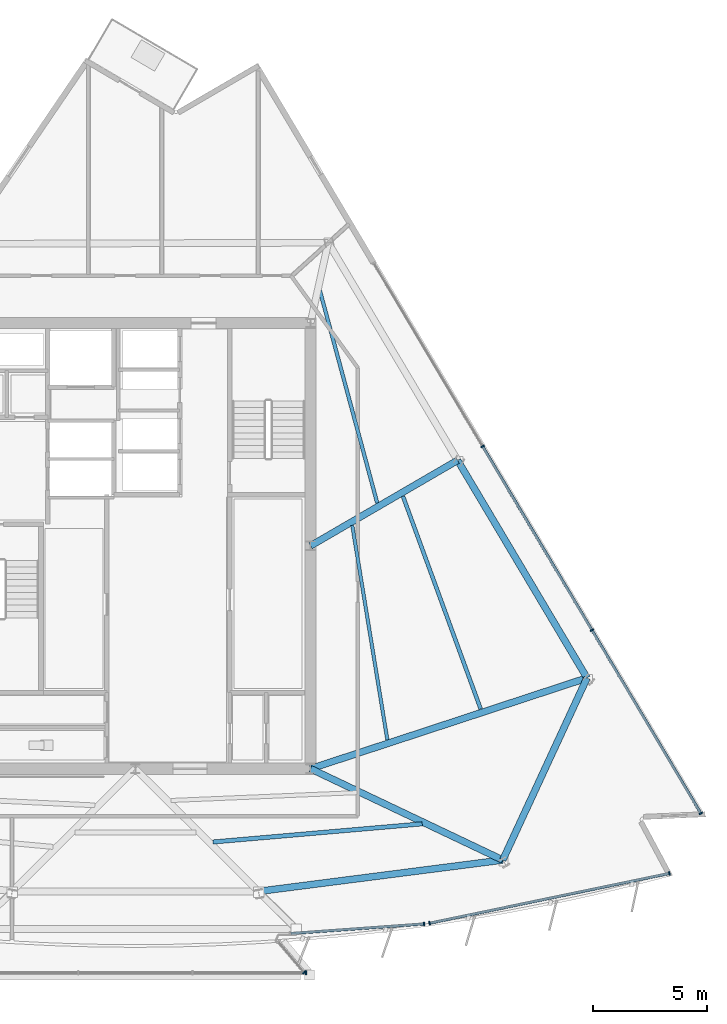
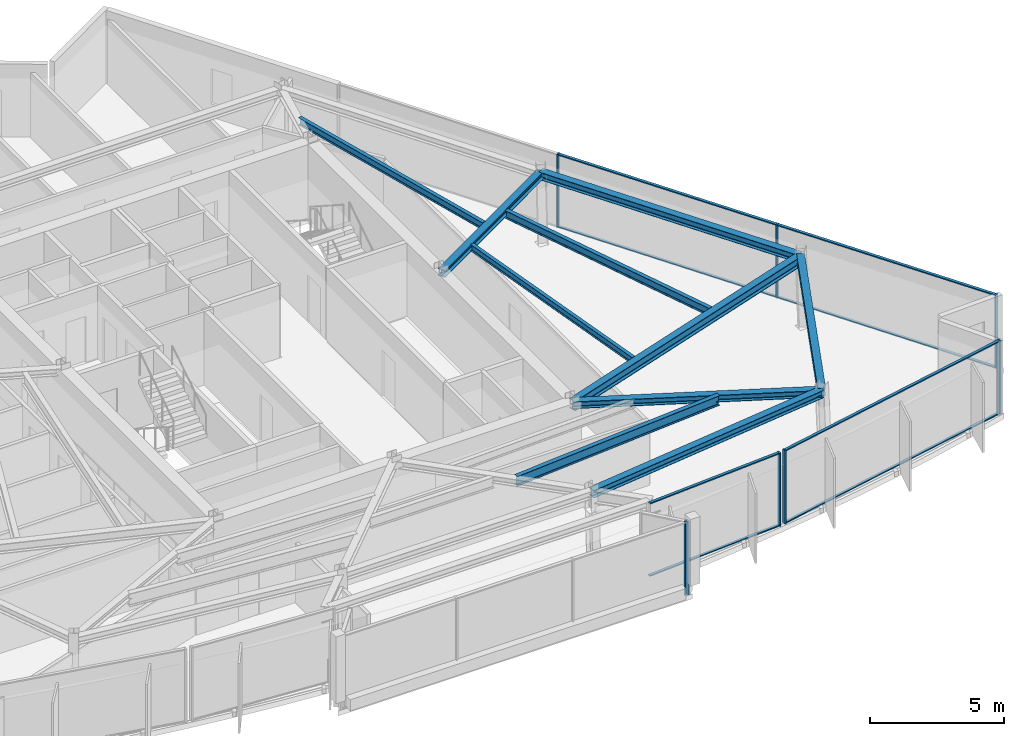
# One storey, part 5 of 14: 16 members, 10 beams, 5 elements without a shape of their own.
"""IFC4 building model written with IfcOpenShell, lengths in metres."""

from ifc_helpers import new_model, si_unit, direction, frame, origin, origin_2d, place, context, subcontext, project, spatial, rectangle, i_section, extrude, material, material_profile, profile_set, type_object, element, aggregate, save


model = new_model("IFC4")

# Units and contexts
model_context = context("Model", 3, precision=1e-05, world=origin(), true_north=direction((0.0, 1.0)))
body_context = subcontext(model_context, "Body", "Model", "MODEL_VIEW")
ifc_project = project(units=[si_unit("LENGTHUNIT", "METRE"), si_unit("AREAUNIT", "SQUARE_METRE"), si_unit("VOLUMEUNIT", "CUBIC_METRE"), si_unit("PLANEANGLEUNIT", "RADIAN"), si_unit("MASSUNIT", "GRAM", prefix="KILO")], contexts=[model_context])

# Site, building, storey
site_placement = place(None, origin())
site = spatial("IfcSite", under=ifc_project, at=site_placement, CompositionType="ELEMENT")
building_placement = place(site_placement, origin())
building = spatial("IfcBuilding", under=site, at=building_placement, Name="Savorim Split Tower", CompositionType="ELEMENT")
storey_placement = place(building_placement, frame((0.0, 0.0, 234.300048828125)))
storey = spatial("IfcBuildingStorey", under=building, at=storey_placement, Name="L62", CompositionType="ELEMENT", Elevation=234.300048828125)

# Beams
ifc_material_1 = material(Name="Steel S355", Category="steel")
ifc_material_profile_1 = material_profile(ifc_material_1, i_section(OverallWidth=0.14990234375, OverallDepth=0.300048828125, WebThickness=0.007080078125, FlangeThickness=0.0107421875, FilletRadius=0.014892578125, at=origin_2d()), Name="IPE 300")
ifc_profile_set_1 = profile_set([ifc_material_profile_1], Name="Steel S355")
beam_type_1 = type_object("IfcBeamType", Name="BM-JST-IPE300", PredefinedType="JOIST", material=ifc_profile_set_1)
beam_1_placement = place(storey_placement, frame((11.077880859375, -8.12451171875, 3.199951171875), z_axis=(-0.161478150517, 0.986876287538, 0.0), x_axis=(-0.986876287538, -0.161478150517, 0.0)))
element("IfcBeam", 1, at=beam_1_placement, inside=storey, type_object=beam_type_1, Name="L62 Secondary Floor Joist JS-08", PredefinedType="JOIST", context=body_context, shape_type="SweptSolid", body=[
    extrude(i_section(OverallWidth=0.14990234375, OverallDepth=0.300048828125, WebThickness=0.007080078125, FlangeThickness=0.0107421875, FilletRadius=0.014892578125, at=origin_2d()), origin(), (0.0, 0.0, 1.0), 9.544677734375),
])
ifc_material_profile_2 = material_profile(ifc_material_1, i_section(OverallWidth=0.159912109375, OverallDepth=0.330078125, WebThickness=0.007568359375, FlangeThickness=0.011474609375, FilletRadius=0.01806640625, at=origin_2d()), Name="IPE 330")
ifc_profile_set_2 = profile_set([ifc_material_profile_2], Name="Steel S355")
beam_type_2 = type_object("IfcBeamType", Name="BM-JST-IPE330", PredefinedType="JOIST", material=ifc_profile_set_2)
beam_2_placement = place(storey_placement, frame((10.633056640625, 2.2841796875, 3.18505859375), z_axis=(-0.260676854627, 0.96542611186, 0.0), x_axis=(-0.96542611186, -0.260676854627, 0.0)))
element("IfcBeam", 2, at=beam_2_placement, inside=storey, type_object=beam_type_2, Name="L62 Secondary Floor Joist JS-07", PredefinedType="JOIST", context=body_context, shape_type="SweptSolid", body=[
    extrude(i_section(OverallWidth=0.159912109375, OverallDepth=0.330078125, WebThickness=0.007568359375, FlangeThickness=0.011474609375, FilletRadius=0.01806640625, at=origin_2d()), origin(), (0.0, 0.0, 1.0), 9.720703125),
])
ifc_material_profile_3 = material_profile(ifc_material_1, i_section(OverallWidth=0.169921875, OverallDepth=0.360107421875, WebThickness=0.008056640625, FlangeThickness=0.0126953125, FilletRadius=0.01806640625, at=origin_2d()), Name="IPE 360")
ifc_profile_set_3 = profile_set([ifc_material_profile_3], Name="Steel S355")
beam_type_3 = type_object("IfcBeamType", Name="BM-JST-IPE360", PredefinedType="JOIST", material=ifc_profile_set_3)
beam_3_placement = place(storey_placement, frame((15.18212890625, -6.77490234375, 3.169921875), z_axis=(-0.34313015909, 0.939287865312, 0.0), x_axis=(-0.939287865312, -0.34313015909, 0.0)))
element("IfcBeam", 3, at=beam_3_placement, inside=storey, type_object=beam_type_3, Name="L62 Secondary Floor Joist JS-06", PredefinedType="JOIST", context=body_context, shape_type="SweptSolid", body=[
    extrude(i_section(OverallWidth=0.169921875, OverallDepth=0.360107421875, WebThickness=0.008056640625, FlangeThickness=0.0126953125, FilletRadius=0.01806640625, at=origin_2d()), origin(), (0.0, 0.0, 1.0), 9.96044921875),
])
ifc_material_profile_4 = material_profile(ifc_material_1, i_section(OverallWidth=0.18994140625, OverallDepth=0.449951171875, WebThickness=0.009521484375, FlangeThickness=0.0146484375, FilletRadius=0.02099609375, at=origin_2d()), Name="IPE 450")
ifc_profile_set_4 = profile_set([ifc_material_profile_4], Name="Steel S355")
beam_type_4 = type_object("IfcBeamType", Name="BM-JST-IPE450", PredefinedType="JOIST", material=ifc_profile_set_4)
beam_4_placement = place(storey_placement, frame((3.407470703125, -12.621337890625, 3.125), z_axis=(0.996248219312, 0.086541813698, 0.0), x_axis=(-0.086541813698, 0.996248219312, 0.0)))
element("IfcBeam", 4, at=beam_4_placement, inside=storey, type_object=beam_type_4, Name="L62 Secondary Floor Joist JS-04", PredefinedType="JOIST", context=body_context, shape_type="SweptSolid", body=[
    extrude(i_section(OverallWidth=0.18994140625, OverallDepth=0.449951171875, WebThickness=0.009521484375, FlangeThickness=0.0146484375, FilletRadius=0.02099609375, at=origin_2d()), origin(), (0.0, 0.0, 1.0), 9.239013671875),
])
ifc_material_profile_5 = material_profile(ifc_material_1, i_section(OverallWidth=0.300048828125, OverallDepth=0.320068359375, WebThickness=0.011474609375, FlangeThickness=0.0205078125, FilletRadius=0.027099609375, at=origin_2d()), Name="HEB 320")
ifc_profile_set_5 = profile_set([ifc_material_profile_5], Name="Steel S355")
beam_type_5 = type_object("IfcBeamType", Name="BM-PRI-HEB320", PredefinedType="BEAM", material=ifc_profile_set_5)
beam_5_placement = place(storey_placement, frame((16.15185546875, -13.4130859375, 3.18994140625), z_axis=(-0.903338424943, 0.428928537197, 0.0), x_axis=(-0.428928537197, -0.903338424943, 0.0)))
element("IfcBeam", 5, at=beam_5_placement, inside=storey, type_object=beam_type_5, Name="L62 Primary Floor Girder RG-04", PredefinedType="BEAM", context=body_context, shape_type="SweptSolid", body=[
    extrude(i_section(OverallWidth=0.300048828125, OverallDepth=0.320068359375, WebThickness=0.011474609375, FlangeThickness=0.0205078125, FilletRadius=0.027099609375, at=origin_2d()), origin(), (0.0, 0.0, 1.0), 9.356201171875),
])
beam_6_placement = place(storey_placement, frame((14.166748046875, 4.159912109375, 3.18994140625), z_axis=(-0.864493004875, -0.502644849294, 0.0), x_axis=(0.502644849294, -0.864493004875, 0.0)))
element("IfcBeam", 6, at=beam_6_placement, inside=storey, type_object=beam_type_5, Name="L62 Primary Floor Girder RG-06", PredefinedType="BEAM", context=body_context, shape_type="SweptSolid", body=[
    extrude(i_section(OverallWidth=0.300048828125, OverallDepth=0.320068359375, WebThickness=0.011474609375, FlangeThickness=0.0205078125, FilletRadius=0.027099609375, at=origin_2d()), origin(), (0.0, 0.0, 1.0), 7.48046875),
])
ifc_material_profile_6 = material_profile(ifc_material_1, i_section(OverallWidth=0.300048828125, OverallDepth=0.449951171875, WebThickness=0.013916015625, FlangeThickness=0.02587890625, FilletRadius=0.027099609375, at=origin_2d()), Name="HEB 450")
ifc_profile_set_6 = profile_set([ifc_material_profile_6], Name="Steel S355")
beam_type_6 = type_object("IfcBeamType", Name="BM-PRI-HEB450", PredefinedType="BEAM", material=ifc_profile_set_6)
beam_7_placement = place(storey_placement, frame((19.8564453125, -5.408447265625, 3.125), z_axis=(-0.950097124951, -0.311954248505, 0.0), x_axis=(0.311954248505, -0.950097124951, 0.0)))
element("IfcBeam", 7, at=beam_7_placement, inside=storey, type_object=beam_type_6, Name="L62 Primary Floor Girder RG-05", PredefinedType="BEAM", context=body_context, shape_type="SweptSolid", body=[
    extrude(i_section(OverallWidth=0.300048828125, OverallDepth=0.449951171875, WebThickness=0.013916015625, FlangeThickness=0.02587890625, FilletRadius=0.027099609375, at=origin_2d()), origin(), (0.0, 0.0, 1.0), 12.794921875),
])
ifc_material_profile_7 = material_profile(ifc_material_1, i_section(OverallWidth=0.300048828125, OverallDepth=0.35009765625, WebThickness=0.010009765625, FlangeThickness=0.017578125, FilletRadius=0.027099609375, at=origin_2d()), Name="HEA 360")
ifc_profile_set_7 = profile_set([ifc_material_profile_7], Name="Steel S355")
beam_type_7 = type_object("IfcBeamType", Name="BM-SPN-HEA360", PredefinedType="SPANDREL", material=ifc_profile_set_7)
beam_8_placement = place(storey_placement, frame((5.413330078125, -14.791748046875, 3.175048828125), z_axis=(0.991859186786, 0.127339520923, 0.0), x_axis=(-0.127339520923, 0.991859186786, 0.0)))
element("IfcBeam", 8, at=beam_8_placement, inside=storey, type_object=beam_type_7, Name="L62 Perimeter Spandrel Beam 3", PredefinedType="SPANDREL", context=body_context, shape_type="SweptSolid", body=[
    extrude(i_section(OverallWidth=0.300048828125, OverallDepth=0.35009765625, WebThickness=0.010009765625, FlangeThickness=0.017578125, FilletRadius=0.027099609375, at=origin_2d()), origin(), (0.0, 0.0, 1.0), 10.82666015625),
])
beam_9_placement = place(storey_placement, frame((16.15185546875, -13.4130859375, 3.175048828125), z_axis=(0.420005796589, 0.907521421693, 0.0), x_axis=(-0.907521421693, 0.420005796589, 0.0)))
element("IfcBeam", 9, at=beam_9_placement, inside=storey, type_object=beam_type_7, Name="L62 Perimeter Spandrel Beam 4", PredefinedType="SPANDREL", context=body_context, shape_type="SweptSolid", body=[
    extrude(i_section(OverallWidth=0.300048828125, OverallDepth=0.35009765625, WebThickness=0.010009765625, FlangeThickness=0.017578125, FilletRadius=0.027099609375, at=origin_2d()), origin(), (0.0, 0.0, 1.0), 8.8203125),
])
beam_10_placement = place(storey_placement, frame((19.8564453125, -5.408447265625, 3.175048828125), z_axis=(-0.511102105141, 0.859520004491, 0.0), x_axis=(-0.859520004491, -0.511102105141, 0.0)))
element("IfcBeam", 10, at=beam_10_placement, inside=storey, type_object=beam_type_7, Name="L62 Perimeter Spandrel Beam 5", PredefinedType="SPANDREL", context=body_context, shape_type="SweptSolid", body=[
    extrude(i_section(OverallWidth=0.300048828125, OverallDepth=0.35009765625, WebThickness=0.010009765625, FlangeThickness=0.017578125, FilletRadius=0.027099609375, at=origin_2d()), origin(), (0.0, 0.0, 1.0), 11.13232421875),
])

# Curtain wall, member
ifc_material_2 = material(Name="Dark Ceramic-Fritted Insulated Glass", Category="glass")
curtain_wall_type_1 = type_object("IfcCurtainWallType", Name="CW-TWR-FRIT-B", PredefinedType="NOTDEFINED", material=ifc_material_2)
curtain_wall_1_placement = place(storey_placement, origin())
curtain_wall_1 = element("IfcCurtainWall", 11, at=curtain_wall_1_placement, inside=storey, type_object=curtain_wall_type_1, Name="L62 Curtain Wall CW-L62-SF3A", PredefinedType="NOTDEFINED")
ifc_material_3 = material(Name="Charcoal Anodised Aluminium", Category="aluminium")
ifc_material_profile_8 = material_profile(ifc_material_3, rectangle(XDim=0.159912109375, YDim=0.06005859375, at=origin_2d()), Name="ALU-M 160x60")
ifc_profile_set_8 = profile_set([ifc_material_profile_8], Name="Charcoal Anodised Aluminium")
member_type_1 = type_object("IfcMemberType", Name="CWM-160x60", PredefinedType="MULLION", material=ifc_profile_set_8)
member_1_placement = place(storey_placement, frame((12.6923828125, -16.221923828125, 0.0), z_axis=(0.0, 0.0, 1.0), x_axis=(-0.071557956097, 0.997436443549, 0.0)))
member_1 = element("IfcMember", 12, at=member_1_placement, type_object=member_type_1, Name="CW-03 mullion 2", PredefinedType="MULLION", context=body_context, shape_type="SweptSolid", body=[
    extrude(rectangle(XDim=0.159912109375, YDim=0.06005859375, at=origin_2d()), origin(), (0.0, 0.0, 1.0), 3.349853515625),
])

# Curtain wall, members
curtain_wall_2_placement = place(storey_placement, origin())
curtain_wall_2 = element("IfcCurtainWall", 13, at=curtain_wall_2_placement, inside=storey, type_object=curtain_wall_type_1, Name="L62 Curtain Wall CW-L62-SF4A", PredefinedType="NOTDEFINED")
member_2_placement = place(storey_placement, frame((12.933349609375, -16.1884765625, 0.0), z_axis=(0.0, 0.0, 1.0), x_axis=(-0.203214786352, 0.979134184169, 0.0)))
member_2 = element("IfcMember", 14, at=member_2_placement, type_object=member_type_1, Name="CW-03 mullion 1", PredefinedType="MULLION", context=body_context, shape_type="SweptSolid", body=[
    extrude(rectangle(XDim=0.159912109375, YDim=0.06005859375, at=origin_2d()), origin(), (0.0, 0.0, 1.0), 3.349853515625),
])
member_3_placement = place(storey_placement, frame((23.47705078125, -14.0, 0.0), z_axis=(0.0, 0.0, 1.0), x_axis=(-0.203214786352, 0.979134184169, 0.0)))
member_3 = element("IfcMember", 15, at=member_3_placement, type_object=member_type_1, Name="CW-03 mullion 2", PredefinedType="MULLION", context=body_context, shape_type="SweptSolid", body=[
    extrude(rectangle(XDim=0.159912109375, YDim=0.06005859375, at=origin_2d()), origin(), (0.0, 0.0, 1.0), 3.349853515625),
])

curtain_wall_3_placement = place(storey_placement, origin())
curtain_wall_3 = element("IfcCurtainWall", 16, at=curtain_wall_3_placement, inside=storey, type_object=curtain_wall_type_1, Name="L62 Curtain Wall CW-L62-EAST", PredefinedType="NOTDEFINED")
member_4_placement = place(storey_placement, frame((24.8623046875, -11.363037109375, 0.0), z_axis=(0.0, 0.0, 1.0), x_axis=(-0.859523513249, -0.51109620442, 0.0)))
member_4 = element("IfcMember", 17, at=member_4_placement, type_object=member_type_1, Name="CW-03 mullion 1", PredefinedType="MULLION", context=body_context, shape_type="SweptSolid", body=[
    extrude(rectangle(XDim=0.159912109375, YDim=0.06005859375, at=origin_2d()), origin(), (0.0, 0.0, 1.0), 3.349853515625),
])
member_5_placement = place(storey_placement, frame((20.072021484375, -3.30712890625, 0.0), z_axis=(0.0, 0.0, 1.0), x_axis=(-0.859523513249, -0.51109620442, 0.0)))
member_5 = element("IfcMember", 18, at=member_5_placement, type_object=member_type_1, Name="CW-03 mullion 2", PredefinedType="MULLION", context=body_context, shape_type="SweptSolid", body=[
    extrude(rectangle(XDim=0.159912109375, YDim=0.06005859375, at=origin_2d()), origin(), (0.0, 0.0, 1.0), 3.349853515625),
])
member_6_placement = place(storey_placement, frame((15.266357421875, 4.7744140625, 0.0), z_axis=(0.0, 0.0, 1.0), x_axis=(-0.859523513249, -0.51109620442, 0.0)))
member_6 = element("IfcMember", 19, at=member_6_placement, type_object=member_type_1, Name="CW-03 mullion 3", PredefinedType="MULLION", context=body_context, shape_type="SweptSolid", body=[
    extrude(rectangle(XDim=0.159912109375, YDim=0.06005859375, at=origin_2d()), origin(), (0.0, 0.0, 1.0), 3.349853515625),
])

# Curtain wall, member
curtain_wall_type_2 = type_object("IfcCurtainWallType", Name="CW-BAY-LOUNGE", PredefinedType="NOTDEFINED", material=ifc_material_2)
curtain_wall_4_placement = place(storey_placement, origin())
curtain_wall_4 = element("IfcCurtainWall", 20, at=curtain_wall_4_placement, inside=storey, type_object=curtain_wall_type_2, Name="L62 Curtain Wall CW-L62-BAYF", PredefinedType="NOTDEFINED")
ifc_material_profile_9 = material_profile(ifc_material_3, rectangle(XDim=0.179931640625, YDim=0.06494140625, at=origin_2d()), Name="ALU-M 180x65")
ifc_profile_set_9 = profile_set([ifc_material_profile_9], Name="Charcoal Anodised Aluminium")
member_type_2 = type_object("IfcMemberType", Name="CWM-180x65", PredefinedType="MULLION", material=ifc_profile_set_9)
member_7_placement = place(storey_placement, frame((7.501708984375, -18.36767578125, 0.0), z_axis=(0.0, 0.0, 1.0), x_axis=(0.0, 1.0, 0.0)))
member_7 = element("IfcMember", 21, at=member_7_placement, type_object=member_type_2, Name="CW-04 mullion 4", PredefinedType="MULLION", context=body_context, shape_type="SweptSolid", body=[
    extrude(rectangle(XDim=0.179931640625, YDim=0.06494140625, at=origin_2d()), origin(), (0.0, 0.0, 1.0), 3.349853515625),
])
aggregate(curtain_wall_4, [member_7])

curtain_wall_5_placement = place(storey_placement, origin())
curtain_wall_5 = element("IfcCurtainWall", 22, at=curtain_wall_5_placement, inside=storey, type_object=curtain_wall_type_2, Name="L62 Curtain Wall CW-L62-BAYE", PredefinedType="NOTDEFINED")
member_8_placement = place(storey_placement, frame((7.424560546875, -18.3505859375, 0.0), z_axis=(0.0, 0.0, 1.0), x_axis=(-0.764177330189, -0.645006207741, 0.0)))
member_8 = element("IfcMember", 23, at=member_8_placement, type_object=member_type_2, Name="CW-04 mullion 1", PredefinedType="MULLION", context=body_context, shape_type="SweptSolid", body=[
    extrude(rectangle(XDim=0.179931640625, YDim=0.06494140625, at=origin_2d()), origin(), (0.0, 0.0, 1.0), 3.349853515625),
])
aggregate(curtain_wall_5, [member_8])

# Member
ifc_material_profile_10 = material_profile(ifc_material_3, rectangle(XDim=0.1201171875, YDim=0.050048828125, at=origin_2d()), Name="ALU-T 120x50")
ifc_profile_set_10 = profile_set([ifc_material_profile_10], Name="Charcoal Anodised Aluminium")
member_type_3 = type_object("IfcMemberType", Name="CWT-120x50", PredefinedType="USERDEFINED", material=ifc_profile_set_10)
member_9_placement = place(storey_placement, frame((6.83154296875, -16.642333984375, 0.02490234375), z_axis=(0.997437668804, 0.071540875378, 0.0), x_axis=(-0.071540875378, 0.997437668804, 0.0)))
member_9 = element("IfcMember", 24, at=member_9_placement, type_object=member_type_3, Name="CW-03 transom 1.1", ObjectType="TRANSOM", PredefinedType="USERDEFINED", context=body_context, shape_type="SweptSolid", body=[
    extrude(rectangle(XDim=0.1201171875, YDim=0.050048828125, at=origin_2d()), origin(), (0.0, 0.0, 1.0), 5.845703125),
])

member_10_placement = place(storey_placement, frame((6.83154296875, -16.642333984375, 3.324951171875), z_axis=(0.997437668804, 0.071540875378, 0.0), x_axis=(-0.071540875378, 0.997437668804, 0.0)))
member_10 = element("IfcMember", 25, at=member_10_placement, type_object=member_type_3, Name="CW-03 transom 1.2", ObjectType="TRANSOM", PredefinedType="USERDEFINED", context=body_context, shape_type="SweptSolid", body=[
    extrude(rectangle(XDim=0.1201171875, YDim=0.050048828125, at=origin_2d()), origin(), (0.0, 0.0, 1.0), 5.845703125),
])

aggregate(curtain_wall_1, [member_1, member_9, member_10])

member_11_placement = place(storey_placement, frame((12.962646484375, -16.182373046875, 0.02490234375), z_axis=(0.979131697612, 0.203226766771, 0.0), x_axis=(-0.203226766771, 0.979131697612, 0.0)))
member_11 = element("IfcMember", 26, at=member_11_placement, type_object=member_type_3, Name="CW-03 transom 1.1", ObjectType="TRANSOM", PredefinedType="USERDEFINED", context=body_context, shape_type="SweptSolid", body=[
    extrude(rectangle(XDim=0.1201171875, YDim=0.050048828125, at=origin_2d()), origin(), (0.0, 0.0, 1.0), 10.70849609375),
])

member_12_placement = place(storey_placement, frame((12.962646484375, -16.182373046875, 3.324951171875), z_axis=(0.979131697612, 0.203226766771, 0.0), x_axis=(-0.203226766771, 0.979131697612, 0.0)))
member_12 = element("IfcMember", 27, at=member_12_placement, type_object=member_type_3, Name="CW-03 transom 1.2", ObjectType="TRANSOM", PredefinedType="USERDEFINED", context=body_context, shape_type="SweptSolid", body=[
    extrude(rectangle(XDim=0.1201171875, YDim=0.050048828125, at=origin_2d()), origin(), (0.0, 0.0, 1.0), 10.70849609375),
])

aggregate(curtain_wall_2, [member_2, member_3, member_11, member_12])

member_13_placement = place(storey_placement, frame((24.846923828125, -11.33740234375, 0.02490234375), z_axis=(-0.511087432816, 0.859528729024, 0.0), x_axis=(-0.859528729024, -0.511087432816, 0.0)))
member_13 = element("IfcMember", 28, at=member_13_placement, type_object=member_type_3, Name="CW-03 transom 1.1", ObjectType="TRANSOM", PredefinedType="USERDEFINED", context=body_context, shape_type="SweptSolid", body=[
    extrude(rectangle(XDim=0.1201171875, YDim=0.050048828125, at=origin_2d()), origin(), (0.0, 0.0, 1.0), 9.3125),
])

member_14_placement = place(storey_placement, frame((24.846923828125, -11.33740234375, 3.324951171875), z_axis=(-0.511087432816, 0.859528729024, 0.0), x_axis=(-0.859528729024, -0.511087432816, 0.0)))
member_14 = element("IfcMember", 29, at=member_14_placement, type_object=member_type_3, Name="CW-03 transom 1.2", ObjectType="TRANSOM", PredefinedType="USERDEFINED", context=body_context, shape_type="SweptSolid", body=[
    extrude(rectangle(XDim=0.1201171875, YDim=0.050048828125, at=origin_2d()), origin(), (0.0, 0.0, 1.0), 9.3125),
])

member_15_placement = place(storey_placement, frame((20.056640625, -3.281494140625, 0.02490234375), z_axis=(-0.511086872234, 0.859529062354, 0.0), x_axis=(-0.859529062354, -0.511086872234, 0.0)))
member_15 = element("IfcMember", 30, at=member_15_placement, type_object=member_type_3, Name="CW-03 transom 2.1", ObjectType="TRANSOM", PredefinedType="USERDEFINED", context=body_context, shape_type="SweptSolid", body=[
    extrude(rectangle(XDim=0.1201171875, YDim=0.050048828125, at=origin_2d()), origin(), (0.0, 0.0, 1.0), 9.342529296875),
])

member_16_placement = place(storey_placement, frame((20.056640625, -3.281494140625, 3.324951171875), z_axis=(-0.511086872234, 0.859529062354, 0.0), x_axis=(-0.859529062354, -0.511086872234, 0.0)))
member_16 = element("IfcMember", 31, at=member_16_placement, type_object=member_type_3, Name="CW-03 transom 2.2", ObjectType="TRANSOM", PredefinedType="USERDEFINED", context=body_context, shape_type="SweptSolid", body=[
    extrude(rectangle(XDim=0.1201171875, YDim=0.050048828125, at=origin_2d()), origin(), (0.0, 0.0, 1.0), 9.342529296875),
])

aggregate(curtain_wall_3, [member_4, member_5, member_6, member_13, member_14, member_15, member_16])

save(model, "model.ifc")
